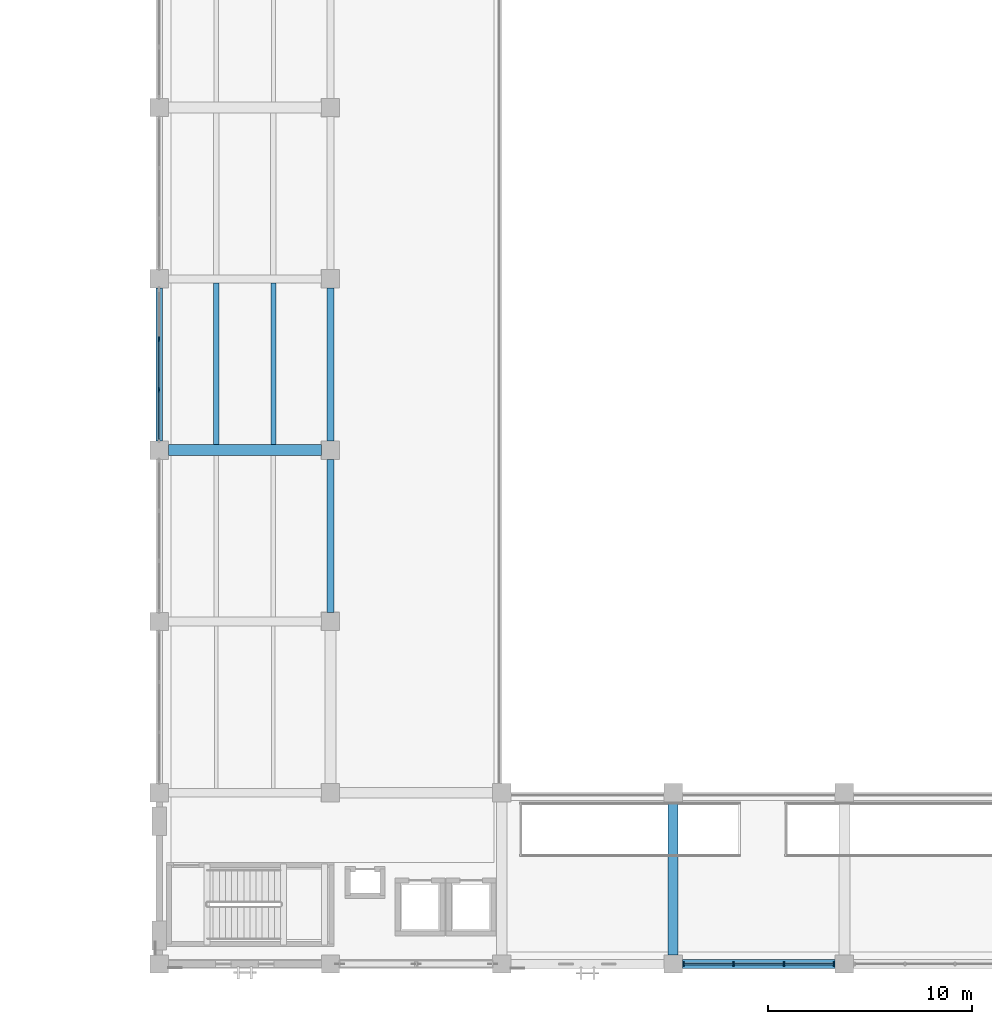
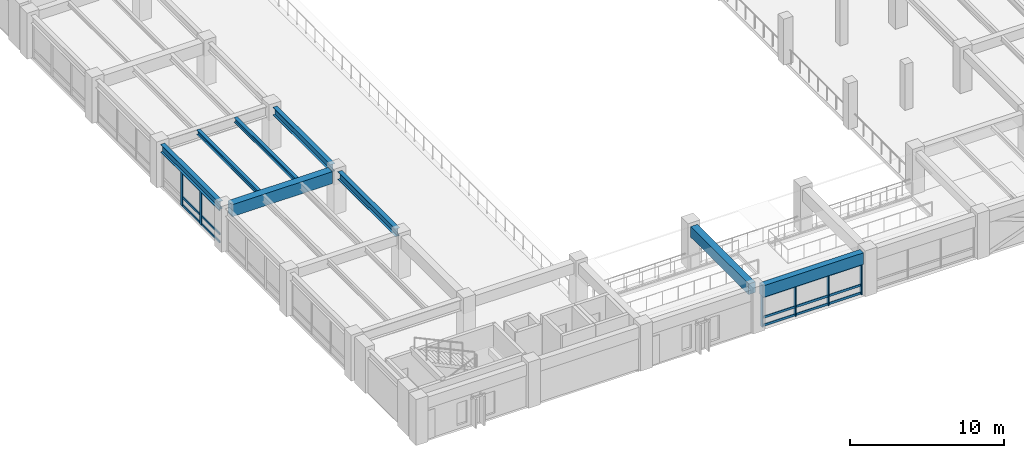
# One storey, part 14 of 118: 21 members, 8 beams, 2 elements without a shape of their own.
"""IFC4 building model written with IfcOpenShell, lengths in metres."""

from ifc_helpers import new_model, si_unit, direction, frame, origin, origin_2d, place, context, subcontext, project, spatial, rectangle, i_section, extrude, material, material_profile, profile_set, type_object, element, aggregate, save


model = new_model("IFC4")

# Units and contexts
model_context = context("Model", 3, precision=1e-05, world=origin(), true_north=direction((0.0, 1.0)))
body_context = subcontext(model_context, "Body", "Model", "MODEL_VIEW")
ifc_project = project(units=[si_unit("LENGTHUNIT", "METRE"), si_unit("AREAUNIT", "SQUARE_METRE"), si_unit("VOLUMEUNIT", "CUBIC_METRE"), si_unit("PLANEANGLEUNIT", "RADIAN"), si_unit("MASSUNIT", "GRAM", prefix="KILO")], contexts=[model_context])

# Site, building, storey
site_placement = place(None, origin())
site = spatial("IfcSite", under=ifc_project, at=site_placement, CompositionType="ELEMENT")
building_placement = place(site_placement, origin())
building = spatial("IfcBuilding", under=site, at=building_placement, Name="Cumbredor Promenade Congress Hotel", CompositionType="ELEMENT")
storey_placement = place(building_placement, frame((0.0, 0.0, 3.919921875)))
storey = spatial("IfcBuildingStorey", under=building, at=storey_placement, Name="L01", CompositionType="ELEMENT", Elevation=3.919921875)

# Beams
ifc_material_1 = material(Name="Concrete C40/50", Category="concrete")
ifc_material_profile_1 = material_profile(ifc_material_1, rectangle(XDim=0.5, YDim=0.85009765625, at=origin_2d()), Name="RC BEAM 500x850")
ifc_profile_set_1 = profile_set([ifc_material_profile_1], Name="Concrete C40/50")
beam_type_1 = type_object("IfcBeamType", Name="BM-RC-500x850", PredefinedType="BEAM", material=ifc_profile_set_1)
beam_1_placement = place(storey_placement, frame((33.60009765625, 8.85009765625, 2.93505859375), z_axis=(0.0, 1.0, 0.0), x_axis=(-1.0, 0.0, 0.0)))
element("IfcBeam", 1, at=beam_1_placement, inside=storey, type_object=beam_type_1, Name="L02 Y-Grid Beam 059", PredefinedType="BEAM", context=body_context, shape_type="SweptSolid", body=[
    extrude(rectangle(XDim=0.5, YDim=0.85009765625, at=origin_2d()), origin(), (0.0, 0.0, 1.0), 7.5),
])
ifc_material_profile_2 = material_profile(ifc_material_1, rectangle(XDim=0.550048828125, YDim=0.949951171875, at=origin_2d()), Name="RC BEAM 550x950")
ifc_profile_set_2 = profile_set([ifc_material_profile_2], Name="Concrete C40/50")
beam_type_2 = type_object("IfcBeamType", Name="BM-RC-550x950", PredefinedType="BEAM", material=ifc_profile_set_2)
beam_2_placement = place(storey_placement, frame((8.85009765625, 33.60009765625, 2.885009765625), z_axis=(1.0, 0.0, 0.0), x_axis=(0.0, 1.0, 0.0)))
element("IfcBeam", 2, at=beam_2_placement, inside=storey, type_object=beam_type_2, Name="L02 X-Grid Beam 016", PredefinedType="BEAM", context=body_context, shape_type="SweptSolid", body=[
    extrude(rectangle(XDim=0.550048828125, YDim=0.949951171875, at=origin_2d()), origin(), (0.0, 0.0, 1.0), 7.5),
])

# Curtain wall, members
ifc_material_2 = material(Name="Thermally broken anodized aluminium and low-E glass", Category="aluminium")
curtain_wall_type = type_object("IfcCurtainWallType", Name="Unitised Bronze Curtain Wall CW-01", PredefinedType="NOTDEFINED", material=ifc_material_2)
curtain_wall_1_placement = place(storey_placement, origin())
curtain_wall_1 = element("IfcCurtainWall", 3, at=curtain_wall_1_placement, inside=storey, type_object=curtain_wall_type, Name="L01 Plenary Congress Hall South Curtain Wall 4", PredefinedType="NOTDEFINED")
ifc_material_3 = material(Name="Thermally broken anodized aluminium", Category="aluminium")
ifc_material_profile_3 = material_profile(ifc_material_3, rectangle(XDim=0.080078125, YDim=0.239990234375, at=origin_2d()), Name="ALU MULLION 80x240")
ifc_profile_set_3 = profile_set([ifc_material_profile_3], Name="Thermally broken anodized aluminium")
member_type_1 = type_object("IfcMemberType", Name="Curtain Wall Mullion ML-03", PredefinedType="MULLION", material=ifc_profile_set_3)
member_1_placement = place(storey_placement, frame((34.10498046875, 8.39990234375, -0.0078125), z_axis=(0.0, 0.0, 1.0), x_axis=(1.0, 0.0, 0.0)))
member_1 = element("IfcMember", 4, at=member_1_placement, type_object=member_type_1, Name="L01 Plenary Congress Hall South Curtain Wall 4 Mullion 1", PredefinedType="MULLION", context=body_context, shape_type="SweptSolid", body=[
    extrude(rectangle(XDim=0.080078125, YDim=0.239990234375, at=origin_2d()), origin(), (0.0, 0.0, 1.0), 2.4609375),
])
member_2_placement = place(storey_placement, frame((36.568359375, 8.39990234375, -0.0078125), z_axis=(0.0, 0.0, 1.0), x_axis=(1.0, 0.0, 0.0)))
member_2 = element("IfcMember", 5, at=member_2_placement, type_object=member_type_1, Name="L01 Plenary Congress Hall South Curtain Wall 4 Mullion 2", PredefinedType="MULLION", context=body_context, shape_type="SweptSolid", body=[
    extrude(rectangle(XDim=0.080078125, YDim=0.239990234375, at=origin_2d()), origin(), (0.0, 0.0, 1.0), 2.4609375),
])
member_3_placement = place(storey_placement, frame((39.03173828125, 8.39990234375, -0.0078125), z_axis=(0.0, 0.0, 1.0), x_axis=(1.0, 0.0, 0.0)))
member_3 = element("IfcMember", 6, at=member_3_placement, type_object=member_type_1, Name="L01 Plenary Congress Hall South Curtain Wall 4 Mullion 3", PredefinedType="MULLION", context=body_context, shape_type="SweptSolid", body=[
    extrude(rectangle(XDim=0.080078125, YDim=0.239990234375, at=origin_2d()), origin(), (0.0, 0.0, 1.0), 2.4609375),
])
member_4_placement = place(storey_placement, frame((41.4951171875, 8.39990234375, -0.0078125), z_axis=(0.0, 0.0, 1.0), x_axis=(1.0, 0.0, 0.0)))
member_4 = element("IfcMember", 7, at=member_4_placement, type_object=member_type_1, Name="L01 Plenary Congress Hall South Curtain Wall 4 Mullion 4", PredefinedType="MULLION", context=body_context, shape_type="SweptSolid", body=[
    extrude(rectangle(XDim=0.080078125, YDim=0.239990234375, at=origin_2d()), origin(), (0.0, 0.0, 1.0), 2.4609375),
])

curtain_wall_2_placement = place(storey_placement, origin())
curtain_wall_2 = element("IfcCurtainWall", 8, at=curtain_wall_2_placement, inside=storey, type_object=curtain_wall_type, Name="L01 Plenary Congress Hall West Curtain Wall 4", PredefinedType="NOTDEFINED")
member_5_placement = place(storey_placement, frame((8.39990234375, 36.568359375, -0.0078125), z_axis=(0.0, 0.0, 1.0), x_axis=(1.0, 0.0, 0.0)))
member_5 = element("IfcMember", 9, at=member_5_placement, type_object=member_type_1, Name="L01 Plenary Congress Hall West Curtain Wall 4 Mullion 2", PredefinedType="MULLION", context=body_context, shape_type="SweptSolid", body=[
    extrude(rectangle(XDim=0.080078125, YDim=0.239990234375, at=origin_2d()), origin(), (0.0, 0.0, 1.0), 2.75),
])
member_6_placement = place(storey_placement, frame((8.39990234375, 39.03173828125, -0.0078125), z_axis=(0.0, 0.0, 1.0), x_axis=(1.0, 0.0, 0.0)))
member_6 = element("IfcMember", 10, at=member_6_placement, type_object=member_type_1, Name="L01 Plenary Congress Hall West Curtain Wall 4 Mullion 3", PredefinedType="MULLION", context=body_context, shape_type="SweptSolid", body=[
    extrude(rectangle(XDim=0.080078125, YDim=0.239990234375, at=origin_2d()), origin(), (0.0, 0.0, 1.0), 2.75),
])

# Member
ifc_material_profile_4 = material_profile(ifc_material_3, rectangle(XDim=0.080078125, YDim=0.179931640625, at=origin_2d()), Name="ALU TRANSOM 80x180")
ifc_profile_set_4 = profile_set([ifc_material_profile_4], Name="Thermally broken anodized aluminium")
member_type_2 = type_object("IfcMemberType", Name="Curtain Wall Transom TR-03", PredefinedType="USERDEFINED", material=ifc_profile_set_4)
member_7_placement = place(storey_placement, frame((34.14501953125, 8.39990234375, 0.090087890625), z_axis=(1.0, 0.0, 0.0), x_axis=(0.0, 1.0, 0.0)))
member_7 = element("IfcMember", 11, at=member_7_placement, type_object=member_type_2, Name="L01 Plenary Congress Hall South Curtain Wall 4 Transom 1.1", ObjectType="TRANSOM", PredefinedType="USERDEFINED", context=body_context, shape_type="SweptSolid", body=[
    extrude(rectangle(XDim=0.080078125, YDim=0.179931640625, at=origin_2d()), origin(), (0.0, 0.0, 1.0), 2.38330078125),
])

member_8_placement = place(storey_placement, frame((34.14501953125, 8.39990234375, 0.719970703125), z_axis=(1.0, 0.0, 0.0), x_axis=(0.0, 1.0, 0.0)))
member_8 = element("IfcMember", 12, at=member_8_placement, type_object=member_type_2, Name="L01 Plenary Congress Hall South Curtain Wall 4 Transom 1.2", ObjectType="TRANSOM", PredefinedType="USERDEFINED", context=body_context, shape_type="SweptSolid", body=[
    extrude(rectangle(XDim=0.080078125, YDim=0.179931640625, at=origin_2d()), origin(), (0.0, 0.0, 1.0), 2.38330078125),
])

member_9_placement = place(storey_placement, frame((34.14501953125, 8.39990234375, 2.360107421875), z_axis=(1.0, 0.0, 0.0), x_axis=(0.0, 1.0, 0.0)))
member_9 = element("IfcMember", 13, at=member_9_placement, type_object=member_type_2, Name="L01 Plenary Congress Hall South Curtain Wall 4 Transom 1.3", ObjectType="TRANSOM", PredefinedType="USERDEFINED", context=body_context, shape_type="SweptSolid", body=[
    extrude(rectangle(XDim=0.080078125, YDim=0.179931640625, at=origin_2d()), origin(), (0.0, 0.0, 1.0), 2.38330078125),
])

member_10_placement = place(storey_placement, frame((36.6083984375, 8.39990234375, 0.090087890625), z_axis=(1.0, 0.0, 0.0), x_axis=(0.0, 1.0, 0.0)))
member_10 = element("IfcMember", 14, at=member_10_placement, type_object=member_type_2, Name="L01 Plenary Congress Hall South Curtain Wall 4 Transom 2.1", ObjectType="TRANSOM", PredefinedType="USERDEFINED", context=body_context, shape_type="SweptSolid", body=[
    extrude(rectangle(XDim=0.080078125, YDim=0.179931640625, at=origin_2d()), origin(), (0.0, 0.0, 1.0), 2.38330078125),
])

member_11_placement = place(storey_placement, frame((36.6083984375, 8.39990234375, 0.719970703125), z_axis=(1.0, 0.0, 0.0), x_axis=(0.0, 1.0, 0.0)))
member_11 = element("IfcMember", 15, at=member_11_placement, type_object=member_type_2, Name="L01 Plenary Congress Hall South Curtain Wall 4 Transom 2.2", ObjectType="TRANSOM", PredefinedType="USERDEFINED", context=body_context, shape_type="SweptSolid", body=[
    extrude(rectangle(XDim=0.080078125, YDim=0.179931640625, at=origin_2d()), origin(), (0.0, 0.0, 1.0), 2.38330078125),
])

member_12_placement = place(storey_placement, frame((36.6083984375, 8.39990234375, 2.360107421875), z_axis=(1.0, 0.0, 0.0), x_axis=(0.0, 1.0, 0.0)))
member_12 = element("IfcMember", 16, at=member_12_placement, type_object=member_type_2, Name="L01 Plenary Congress Hall South Curtain Wall 4 Transom 2.3", ObjectType="TRANSOM", PredefinedType="USERDEFINED", context=body_context, shape_type="SweptSolid", body=[
    extrude(rectangle(XDim=0.080078125, YDim=0.179931640625, at=origin_2d()), origin(), (0.0, 0.0, 1.0), 2.38330078125),
])

member_13_placement = place(storey_placement, frame((39.07177734375, 8.39990234375, 0.090087890625), z_axis=(1.0, 0.0, 0.0), x_axis=(0.0, 1.0, 0.0)))
member_13 = element("IfcMember", 17, at=member_13_placement, type_object=member_type_2, Name="L01 Plenary Congress Hall South Curtain Wall 4 Transom 3.1", ObjectType="TRANSOM", PredefinedType="USERDEFINED", context=body_context, shape_type="SweptSolid", body=[
    extrude(rectangle(XDim=0.080078125, YDim=0.179931640625, at=origin_2d()), origin(), (0.0, 0.0, 1.0), 2.38330078125),
])

member_14_placement = place(storey_placement, frame((39.07177734375, 8.39990234375, 0.719970703125), z_axis=(1.0, 0.0, 0.0), x_axis=(0.0, 1.0, 0.0)))
member_14 = element("IfcMember", 18, at=member_14_placement, type_object=member_type_2, Name="L01 Plenary Congress Hall South Curtain Wall 4 Transom 3.2", ObjectType="TRANSOM", PredefinedType="USERDEFINED", context=body_context, shape_type="SweptSolid", body=[
    extrude(rectangle(XDim=0.080078125, YDim=0.179931640625, at=origin_2d()), origin(), (0.0, 0.0, 1.0), 2.38330078125),
])

member_15_placement = place(storey_placement, frame((39.07177734375, 8.39990234375, 2.360107421875), z_axis=(1.0, 0.0, 0.0), x_axis=(0.0, 1.0, 0.0)))
member_15 = element("IfcMember", 19, at=member_15_placement, type_object=member_type_2, Name="L01 Plenary Congress Hall South Curtain Wall 4 Transom 3.3", ObjectType="TRANSOM", PredefinedType="USERDEFINED", context=body_context, shape_type="SweptSolid", body=[
    extrude(rectangle(XDim=0.080078125, YDim=0.179931640625, at=origin_2d()), origin(), (0.0, 0.0, 1.0), 2.38330078125),
])

aggregate(curtain_wall_1, [member_1, member_2, member_3, member_4, member_7, member_8, member_9, member_10, member_11, member_12, member_13, member_14, member_15])

member_16_placement = place(storey_placement, frame((8.39990234375, 34.14501953125, 0.090087890625), z_axis=(0.0, 1.0, 0.0), x_axis=(-1.0, 0.0, 0.0)))
member_16 = element("IfcMember", 20, at=member_16_placement, type_object=member_type_2, Name="L01 Plenary Congress Hall West Curtain Wall 4 Transom 1.1", ObjectType="TRANSOM", PredefinedType="USERDEFINED", context=body_context, shape_type="SweptSolid", body=[
    extrude(rectangle(XDim=0.080078125, YDim=0.179931640625, at=origin_2d()), origin(), (0.0, 0.0, 1.0), 2.38330078125),
])

member_17_placement = place(storey_placement, frame((8.39990234375, 34.14501953125, 0.719970703125), z_axis=(0.0, 1.0, 0.0), x_axis=(-1.0, 0.0, 0.0)))
member_17 = element("IfcMember", 21, at=member_17_placement, type_object=member_type_2, Name="L01 Plenary Congress Hall West Curtain Wall 4 Transom 1.2", ObjectType="TRANSOM", PredefinedType="USERDEFINED", context=body_context, shape_type="SweptSolid", body=[
    extrude(rectangle(XDim=0.080078125, YDim=0.179931640625, at=origin_2d()), origin(), (0.0, 0.0, 1.0), 2.38330078125),
])

member_18_placement = place(storey_placement, frame((8.39990234375, 34.14501953125, 2.64013671875), z_axis=(0.0, 1.0, 0.0), x_axis=(-1.0, 0.0, 0.0)))
member_18 = element("IfcMember", 22, at=member_18_placement, type_object=member_type_2, Name="L01 Plenary Congress Hall West Curtain Wall 4 Transom 1.3", ObjectType="TRANSOM", PredefinedType="USERDEFINED", context=body_context, shape_type="SweptSolid", body=[
    extrude(rectangle(XDim=0.080078125, YDim=0.179931640625, at=origin_2d()), origin(), (0.0, 0.0, 1.0), 2.38330078125),
])

member_19_placement = place(storey_placement, frame((8.39990234375, 36.6083984375, 0.090087890625), z_axis=(0.0, 1.0, 0.0), x_axis=(-1.0, 0.0, 0.0)))
member_19 = element("IfcMember", 23, at=member_19_placement, type_object=member_type_2, Name="L01 Plenary Congress Hall West Curtain Wall 4 Transom 2.1", ObjectType="TRANSOM", PredefinedType="USERDEFINED", context=body_context, shape_type="SweptSolid", body=[
    extrude(rectangle(XDim=0.080078125, YDim=0.179931640625, at=origin_2d()), origin(), (0.0, 0.0, 1.0), 2.38330078125),
])

member_20_placement = place(storey_placement, frame((8.39990234375, 36.6083984375, 0.719970703125), z_axis=(0.0, 1.0, 0.0), x_axis=(-1.0, 0.0, 0.0)))
member_20 = element("IfcMember", 24, at=member_20_placement, type_object=member_type_2, Name="L01 Plenary Congress Hall West Curtain Wall 4 Transom 2.2", ObjectType="TRANSOM", PredefinedType="USERDEFINED", context=body_context, shape_type="SweptSolid", body=[
    extrude(rectangle(XDim=0.080078125, YDim=0.179931640625, at=origin_2d()), origin(), (0.0, 0.0, 1.0), 2.38330078125),
])

member_21_placement = place(storey_placement, frame((8.39990234375, 36.6083984375, 2.64013671875), z_axis=(0.0, 1.0, 0.0), x_axis=(-1.0, 0.0, 0.0)))
member_21 = element("IfcMember", 25, at=member_21_placement, type_object=member_type_2, Name="L01 Plenary Congress Hall West Curtain Wall 4 Transom 2.3", ObjectType="TRANSOM", PredefinedType="USERDEFINED", context=body_context, shape_type="SweptSolid", body=[
    extrude(rectangle(XDim=0.080078125, YDim=0.179931640625, at=origin_2d()), origin(), (0.0, 0.0, 1.0), 2.38330078125),
])

aggregate(curtain_wall_2, [member_5, member_6, member_16, member_17, member_18, member_19, member_20, member_21])

# Beams
ifc_material_4 = material(Name="Steel ASTM A992 Grade 50", Category="steel")
ifc_material_profile_5 = material_profile(ifc_material_4, i_section(OverallWidth=0.2548828125, OverallDepth=0.35693359375, WebThickness=0.010498046875, FlangeThickness=0.018310546875, at=origin_2d()), Name="W14X68")
ifc_profile_set_5 = profile_set([ifc_material_profile_5], Name="Steel ASTM A992 Grade 50")
beam_type_3 = type_object("IfcBeamType", Name="JST-W14X68", PredefinedType="JOIST", material=ifc_profile_set_5)
for number, where, z_axis, x_axis, name in (
    (26, (11.199951171875, 33.875, 3.181640625), (0.0, 1.0, 0.0), (-1.0, 0.0, 0.0), "L02 Secondary Floor Joist 0013"),
    (27, (14.0, 33.875, 3.181640625), (0.0, 1.0, 0.0), (-1.0, 0.0, 0.0), "L02 Secondary Floor Joist 0014"),
):
    element("IfcBeam", number, at=place(storey_placement, frame(where, z_axis=z_axis, x_axis=x_axis)), inside=storey, type_object=beam_type_3, Name=name, PredefinedType="JOIST", context=body_context, shape_type="SweptSolid", body=[
        extrude(i_section(OverallWidth=0.2548828125, OverallDepth=0.35693359375, WebThickness=0.010498046875, FlangeThickness=0.018310546875, at=origin_2d()), origin(), (0.0, 0.0, 1.0), 7.925048828125),
    ])
ifc_material_profile_6 = material_profile(ifc_material_1, rectangle(XDim=0.449951171875, YDim=0.89990234375, at=origin_2d()), Name="RC SPANDREL 450x900")
ifc_profile_set_6 = profile_set([ifc_material_profile_6], Name="Concrete C40/50")
beam_type_4 = type_object("IfcBeamType", Name="SP-RC-450x900", PredefinedType="SPANDREL", material=ifc_profile_set_6)
beam_3_placement = place(storey_placement, frame((34.050048828125, 8.39990234375, 2.91015625), z_axis=(1.0, 0.0, 0.0), x_axis=(0.0, 1.0, 0.0)))
element("IfcBeam", 28, at=beam_3_placement, inside=storey, type_object=beam_type_4, Name="L02 X-Grid Beam 058", PredefinedType="SPANDREL", context=body_context, shape_type="SweptSolid", body=[
    extrude(rectangle(XDim=0.449951171875, YDim=0.89990234375, at=origin_2d()), origin(), (0.0, 0.0, 1.0), 7.5),
])
ifc_material_profile_7 = material_profile(ifc_material_4, i_section(OverallWidth=0.323974609375, OverallDepth=0.611083984375, WebThickness=0.0126953125, FlangeThickness=0.01904296875, at=origin_2d()), Name="W24X104")
ifc_profile_set_7 = profile_set([ifc_material_profile_7], Name="Steel ASTM A992 Grade 50")
beam_type_5 = type_object("IfcBeamType", Name="SP-W24X104", PredefinedType="SPANDREL", material=ifc_profile_set_7)
for number, where, z_axis, x_axis, name in (
    (29, (8.39990234375, 34.050048828125, 3.0546875), (0.0, 1.0, 0.0), (-1.0, 0.0, 0.0), "L02 Y-Grid Beam 017"),
    (30, (16.800048828125, 25.64990234375, 3.0546875), (0.0, 1.0, 0.0), (-1.0, 0.0, 0.0), "L02 Y-Grid Beam 037"),
    (31, (16.800048828125, 34.050048828125, 3.0546875), (0.0, 1.0, 0.0), (-1.0, 0.0, 0.0), "L02 Y-Grid Beam 038"),
):
    element("IfcBeam", number, at=place(storey_placement, frame(where, z_axis=z_axis, x_axis=x_axis)), inside=storey, type_object=beam_type_5, Name=name, PredefinedType="SPANDREL", context=body_context, shape_type="SweptSolid", body=[
        extrude(i_section(OverallWidth=0.323974609375, OverallDepth=0.611083984375, WebThickness=0.0126953125, FlangeThickness=0.01904296875, at=origin_2d()), origin(), (0.0, 0.0, 1.0), 7.5),
    ])

save(model, "model.ifc")
